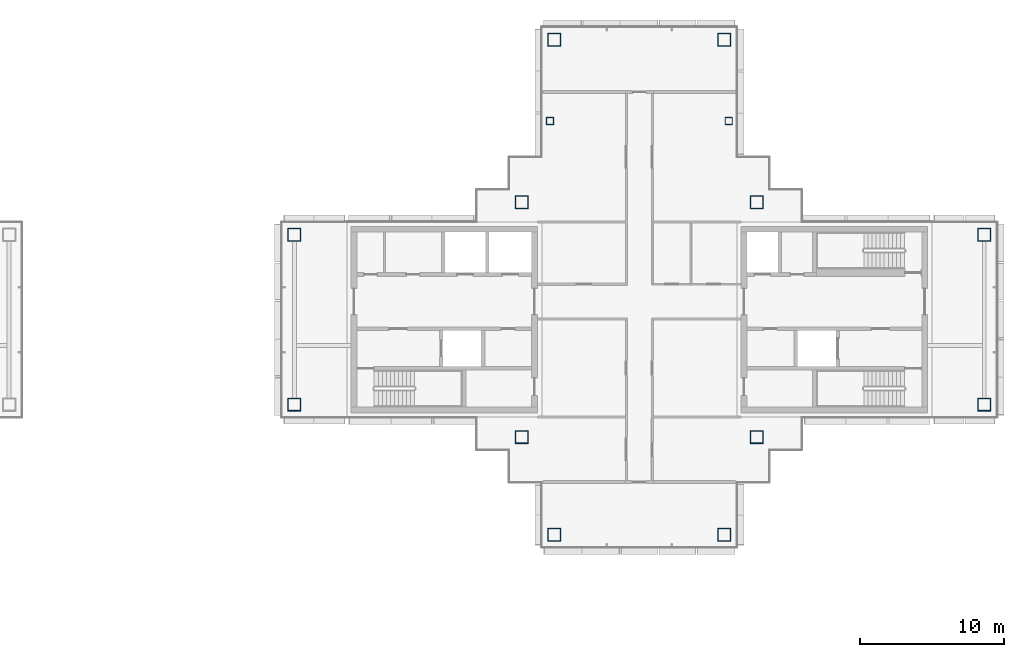
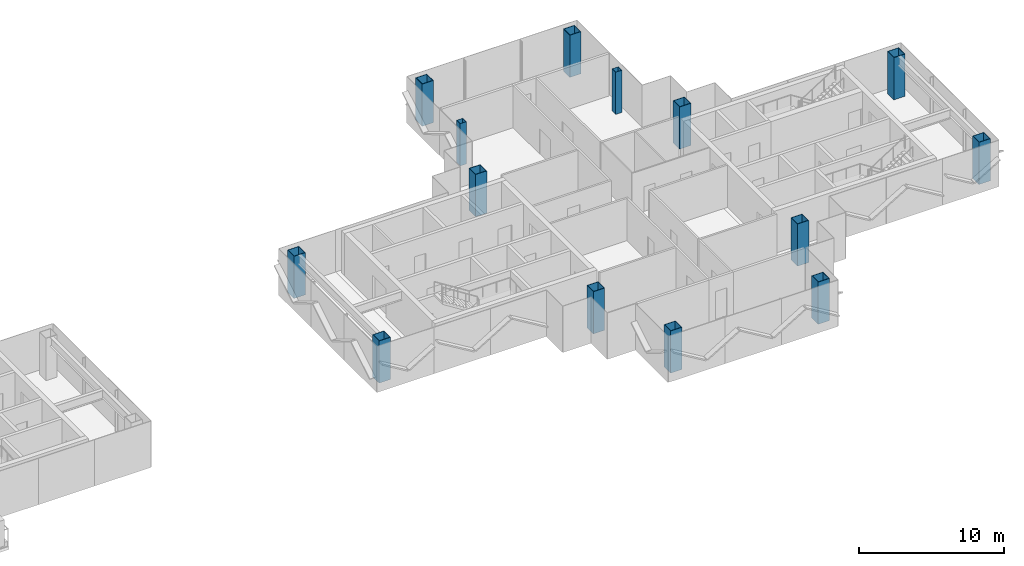
# One storey, part 2 of 17: 14 columns.
"""IFC4 building model written with IfcOpenShell, lengths in metres."""

from ifc_helpers import new_model, si_unit, direction, frame, origin, origin_2d, place, context, subcontext, project, spatial, hollow_rectangle, extrude, material, material_profile, profile_set, type_object, element, save


model = new_model("IFC4")

# Units and contexts
model_context = context("Model", 3, precision=1e-05, world=origin(), true_north=direction((0.0, 1.0)))
body_context = subcontext(model_context, "Body", "Model", "MODEL_VIEW")
ifc_project = project(units=[si_unit("LENGTHUNIT", "METRE"), si_unit("AREAUNIT", "SQUARE_METRE"), si_unit("VOLUMEUNIT", "CUBIC_METRE"), si_unit("PLANEANGLEUNIT", "RADIAN"), si_unit("MASSUNIT", "GRAM", prefix="KILO")], contexts=[model_context])

# Site, building, storey
site_placement = place(None, origin())
site = spatial("IfcSite", under=ifc_project, at=site_placement, CompositionType="ELEMENT")
building_placement = place(site_placement, origin())
building = spatial("IfcBuilding", under=site, at=building_placement, Name="Shamsa Quay Exchange Towers", CompositionType="ELEMENT")
storey_placement = place(building_placement, frame((0.0, 0.0, 249.89990234375)))
storey = spatial("IfcBuildingStorey", under=building, at=storey_placement, Name="L60", CompositionType="ELEMENT", Elevation=249.89990234375)

# Columns
ifc_material_1 = material(Name="Concrete-filled steel tube S355 / C60/75", Category="concrete")
ifc_material_profile_1 = material_profile(ifc_material_1, hollow_rectangle(XDim=0.5, YDim=0.5, WallThickness=0.01611328125, at=origin_2d()), Name="CFT 500x500x16")
ifc_profile_set_1 = profile_set([ifc_material_profile_1], Name="Concrete-filled steel tube S355 / C60/75")
column_type_1 = type_object("IfcColumnType", Name="Column CFT 500x500x16", PredefinedType="COLUMN", material=ifc_profile_set_1)
for number, where, name in (
    (1, (39.9375, 13.75, 0.0), "Perimeter column T2-CP05"),
    (2, (27.5625, 13.75, 0.0), "Perimeter column T2-CP09"),
):
    element("IfcColumn", number, at=place(storey_placement, frame(where)), inside=storey, type_object=column_type_1, Name=name, PredefinedType="COLUMN", context=body_context, shape_type="SweptSolid", body=[
        extrude(hollow_rectangle(XDim=0.5, YDim=0.5, WallThickness=0.01611328125, at=origin_2d()), origin(), (0.0, 0.0, 1.0), 3.550048828125),
    ])
ifc_material_2 = material(Name="Concrete-filled steel tube S355 / C80/95", Category="concrete")
ifc_material_profile_2 = material_profile(ifc_material_2, hollow_rectangle(XDim=0.89990234375, YDim=0.89990234375, WallThickness=0.035888671875, at=origin_2d()), Name="CFT 900x900x36")
ifc_profile_set_2 = profile_set([ifc_material_profile_2], Name="Concrete-filled steel tube S355 / C80/95")
column_type_2 = type_object("IfcColumnType", Name="Column CFT 900x900x36", PredefinedType="COLUMN", material=ifc_profile_set_2)
for number, where, name in (
    (3, (25.625, 8.125, 0.0), "Mega column T2-CM01"),
    (4, (41.875, 8.125, 0.0), "Mega column T2-CM02"),
    (5, (25.625, -8.125, 0.0), "Mega column T2-CM03"),
    (6, (41.875, -8.125, 0.0), "Mega column T2-CM04"),
    (7, (39.625, 19.375, 0.0), "Mega column T2-CM06"),
    (8, (27.875, 19.375, 0.0), "Mega column T2-CM10"),
    (9, (39.625, -14.875, 0.0), "Mega column T2-CM13"),
    (10, (27.875, -14.875, 0.0), "Mega column T2-CM16"),
    (11, (9.875, -5.875, 0.0), "Mega column T2-CM19"),
    (12, (9.875, 5.875, 0.0), "Mega column T2-CM20"),
    (13, (57.625, -5.875, 0.0), "Mega column T2-CM21"),
    (14, (57.625, 5.875, 0.0), "Mega column T2-CM23"),
):
    element("IfcColumn", number, at=place(storey_placement, frame(where)), inside=storey, type_object=column_type_2, Name=name, PredefinedType="COLUMN", context=body_context, shape_type="SweptSolid", body=[
        extrude(hollow_rectangle(XDim=0.89990234375, YDim=0.89990234375, WallThickness=0.035888671875, at=origin_2d()), origin(), (0.0, 0.0, 1.0), 3.550048828125),
    ])

save(model, "model.ifc")
